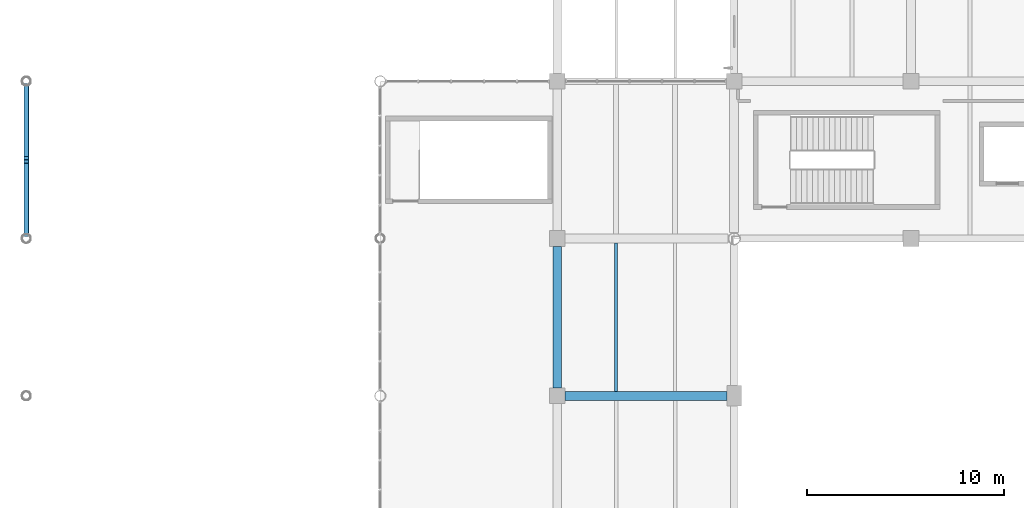
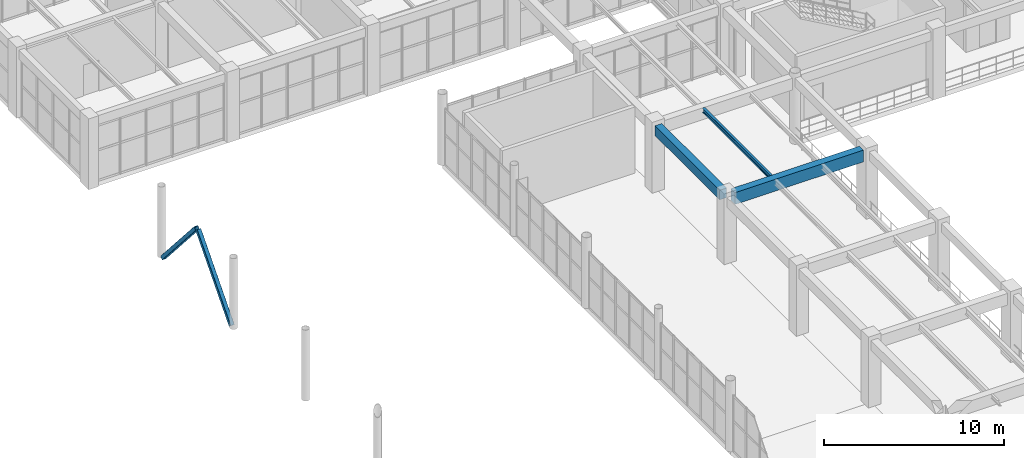
# One storey, part 72 of 178: 3 beams, 2 members.
"""IFC4 building model written with IfcOpenShell, lengths in metres."""

from ifc_helpers import new_model, si_unit, derived_unit, direction, frame, origin, origin_2d, place, context, subcontext, project, spatial, rectangle, hollow_rectangle, i_section, extrude, material, material_profile, profile_set, type_object, element, save


model = new_model("IFC4")

# Units and contexts
model_context = context("Model", 3, precision=1e-05, world=origin(), true_north=direction((0.0, 1.0)))
body_context = subcontext(model_context, "Body", "Model", "MODEL_VIEW")
ifc_project = project(units=[si_unit("LENGTHUNIT", "METRE"), si_unit("AREAUNIT", "SQUARE_METRE"), si_unit("VOLUMEUNIT", "CUBIC_METRE"), si_unit("PLANEANGLEUNIT", "RADIAN"), si_unit("MASSUNIT", "GRAM", prefix="KILO"), derived_unit("THERMALTRANSMITTANCEUNIT", [(si_unit("MASSUNIT", "GRAM", prefix="KILO"), 1), (si_unit("TIMEUNIT", "SECOND"), -3), (si_unit("THERMODYNAMICTEMPERATUREUNIT", "KELVIN"), -1)])], contexts=[model_context])

# Site, building, storey
site_placement = place(None, origin())
site = spatial("IfcSite", under=ifc_project, at=site_placement, CompositionType="ELEMENT")
building_placement = place(site_placement, origin())
building = spatial("IfcBuilding", under=site, at=building_placement, Name="Zhenchuan Archway Interchange", CompositionType="ELEMENT")
storey_placement = place(building_placement, frame((0.0, 0.0, 5.39990234375)))
storey = spatial("IfcBuildingStorey", under=building, at=storey_placement, Name="L01", CompositionType="ELEMENT", Elevation=5.39990234375)

# Beams
ifc_material_1 = material(Name="Concrete C40", Category="concrete")
ifc_material_profile_1 = material_profile(ifc_material_1, rectangle(XDim=0.449951171875, YDim=0.64990234375, at=origin_2d()), Name="RC 450x650")
ifc_profile_set_1 = profile_set([ifc_material_profile_1], Name="Concrete C40")
beam_type_1 = type_object("IfcBeamType", Name="BM_RC_450x650", PredefinedType="BEAM", material=ifc_profile_set_1)
beam_1_placement = place(storey_placement, frame((27.0, 72.39990234375, 4.18505859375), z_axis=(0.0, 1.0, 0.0), x_axis=(-1.0, 0.0, 0.0)))
element("IfcBeam", 1, at=beam_1_placement, inside=storey, type_object=beam_type_1, Name="Beam 4:K-L (L01)", PredefinedType="BEAM", context=body_context, shape_type="SweptSolid", body=[
    extrude(rectangle(XDim=0.449951171875, YDim=0.64990234375, at=origin_2d()), origin(), (0.0, 0.0, 1.0), 7.2001953125),
])
ifc_material_profile_2 = material_profile(ifc_material_1, rectangle(XDim=0.449951171875, YDim=0.800048828125, at=origin_2d()), Name="RC 450x800")
ifc_profile_set_2 = profile_set([ifc_material_profile_2], Name="Concrete C40")
beam_type_2 = type_object("IfcBeamType", Name="BM_RC_450x800", PredefinedType="BEAM", material=ifc_profile_set_2)
beam_2_placement = place(storey_placement, frame((27.39990234375, 72.0, 4.110107421875), z_axis=(1.0, 0.0, 0.0), x_axis=(0.0, 1.0, 0.0)))
element("IfcBeam", 2, at=beam_2_placement, inside=storey, type_object=beam_type_2, Name="Beam K:4-5 (L01)", PredefinedType="BEAM", context=body_context, shape_type="SweptSolid", body=[
    extrude(rectangle(XDim=0.449951171875, YDim=0.800048828125, at=origin_2d()), origin(), (0.0, 0.0, 1.0), 8.22509765625),
])
ifc_material_2 = material(Name="Steel Q355", Category="steel")
ifc_material_profile_3 = material_profile(ifc_material_2, i_section(OverallWidth=0.14990234375, OverallDepth=0.300048828125, WebThickness=0.006591796875, FlangeThickness=0.009033203125, FilletRadius=0.012939453125, at=origin_2d()), Name="HN 300x150")
ifc_profile_set_3 = profile_set([ifc_material_profile_3], Name="Steel Q355")
beam_type_3 = type_object("IfcBeamType", Name="JST_STL_HN300", PredefinedType="JOIST", material=ifc_profile_set_3)
beam_3_placement = place(storey_placement, frame((30.0, 72.22509765625, 4.360107421875), z_axis=(0.0, 1.0, 0.0), x_axis=(-1.0, 0.0, 0.0)))
element("IfcBeam", 3, at=beam_3_placement, inside=storey, type_object=beam_type_3, Name="Secondary joist 4-5/K-L #1 (L01)", PredefinedType="JOIST", context=body_context, shape_type="SweptSolid", body=[
    extrude(i_section(OverallWidth=0.14990234375, OverallDepth=0.300048828125, WebThickness=0.006591796875, FlangeThickness=0.009033203125, FilletRadius=0.012939453125, at=origin_2d()), origin(), (0.0, 0.0, 1.0), 7.5498046875),
])

# Members
ifc_material_profile_4 = material_profile(ifc_material_2, hollow_rectangle(XDim=0.25, YDim=0.25, WallThickness=0.010009765625, InnerFilletRadius=0.010009765625, OuterFilletRadius=0.02001953125, at=origin_2d()), Name="SHS 250x250x10")
ifc_profile_set_4 = profile_set([ifc_material_profile_4], Name="Steel Q355")
member_type = type_object("IfcMemberType", Name="MB_SHS250", PredefinedType="BRACE", material=ifc_profile_set_4)
for number, where, z_axis, x_axis, name in (
    (4, (0.0, 80.199951171875, 0.0), (0.0, 0.658627007665, 0.752469577308), (-1.0, 0.0, 0.0), "Bus canopy lateral chevron brace B8L (L01)"),
    (5, (0.0, 87.800048828125, 0.0), (0.0, -0.658627007665, 0.752469577308), (1.0, 0.0, 0.0), "Bus canopy lateral chevron brace B8R (L01)"),
):
    element("IfcMember", number, at=place(storey_placement, frame(where, z_axis=z_axis, x_axis=x_axis)), inside=storey, type_object=member_type, Name=name, PredefinedType="BRACE", context=body_context, shape_type="SweptSolid", body=[
        extrude(hollow_rectangle(XDim=0.25, YDim=0.25, WallThickness=0.010009765625, InnerFilletRadius=0.010009765625, OuterFilletRadius=0.02001953125, at=origin_2d()), origin(), (0.0, 0.0, 1.0), 5.64794921875),
    ])

save(model, "model.ifc")
